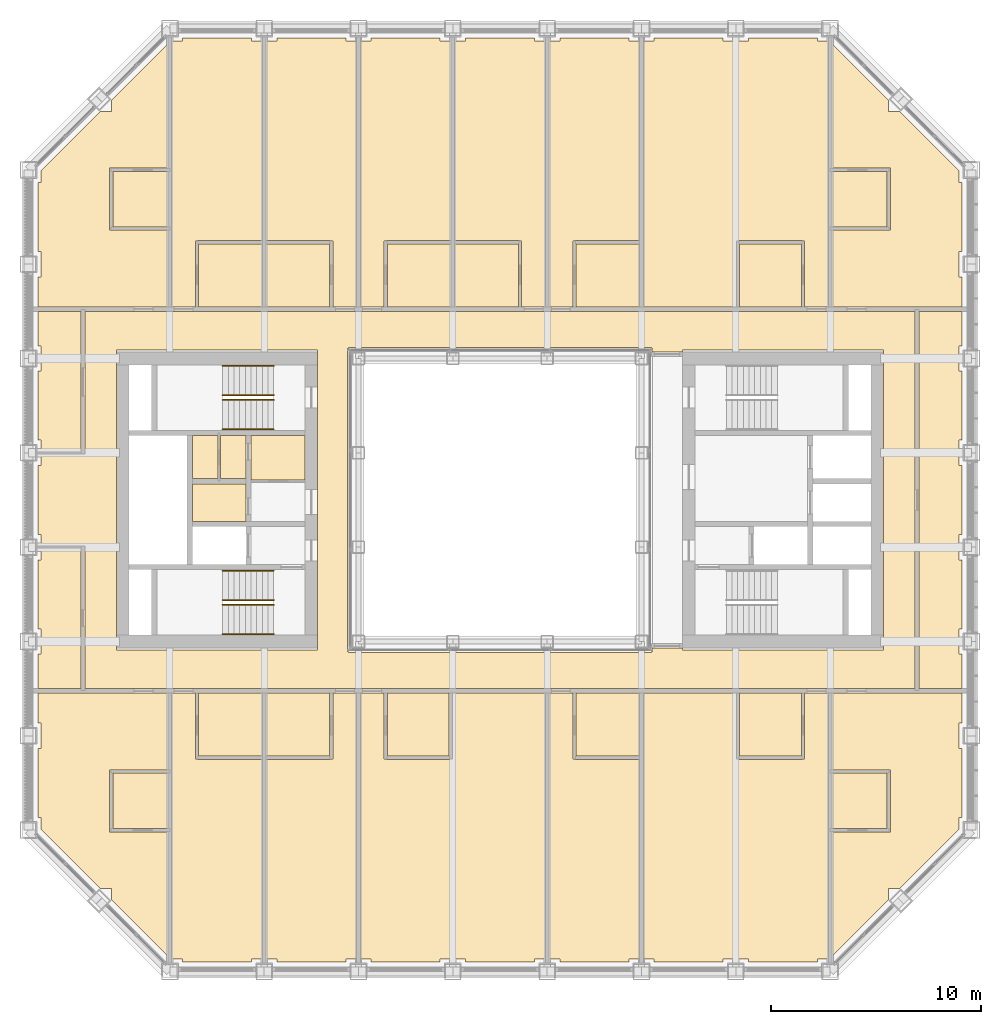
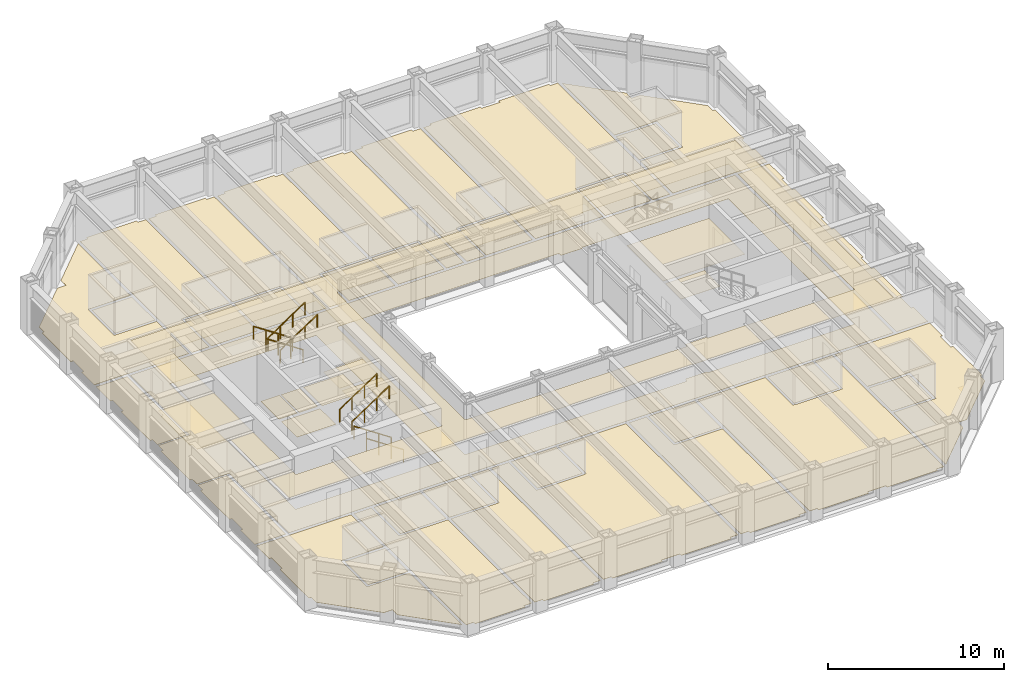
# One storey, part 15 of 17: 8 railings, 5 coverings.
"""IFC4 building model written with IfcOpenShell, lengths in metres."""

from ifc_helpers import new_model, si_unit, direction, frame, origin, origin_2d, place, context, subcontext, project, spatial, line, indexed_curve, circle, outline, extrude, material, layer, layer_set, type_object, element, save


model = new_model("IFC4")

# Units and contexts
model_context = context("Model", 3, precision=1e-05, world=origin(), true_north=direction((0.0, 1.0)))
body_context = subcontext(model_context, "Body", "Model", "MODEL_VIEW")
ifc_project = project(units=[si_unit("LENGTHUNIT", "METRE"), si_unit("AREAUNIT", "SQUARE_METRE"), si_unit("VOLUMEUNIT", "CUBIC_METRE"), si_unit("PLANEANGLEUNIT", "RADIAN"), si_unit("MASSUNIT", "GRAM", prefix="KILO")], contexts=[model_context])

# Site, building, storey
site_placement = place(None, origin())
site = spatial("IfcSite", under=ifc_project, at=site_placement, CompositionType="ELEMENT")
building_placement = place(site_placement, origin())
building = spatial("IfcBuilding", under=site, at=building_placement, Name="Msasa Ring Tower", CompositionType="ELEMENT")
storey_placement = place(building_placement, frame((0.0, 0.0, 147.199951171875)))
storey = spatial("IfcBuildingStorey", under=building, at=storey_placement, Name="L38", CompositionType="ELEMENT", Elevation=147.199951171875)

# Coverings
ifc_material_1 = material(Name="Gypsum plasterboard on a steel suspension grid", Category="steel")
ifc_layer_1 = layer(ifc_material_1, 0.014892578125)
ifc_layer_set_1 = layer_set([ifc_layer_1], Name="C1 SUSPENDED PLASTERBOARD CEILING 15")
covering_type_1 = type_object("IfcCoveringType", Name="C1 SUSPENDED PLASTERBOARD CEILING 15", PredefinedType="CEILING", material=ifc_layer_set_1)
covering_1_placement = place(storey_placement, frame((0.0, 0.0, 2.400146484375)))
element("IfcCovering", 1, at=covering_1_placement, inside=storey, type_object=covering_type_1, Name="Suspended Plasterboard Ceiling 15 circulation L38", PredefinedType="CEILING", context=body_context, shape_type="SweptSolid", body=[
    extrude(outline(indexed_curve([(19.799560546875, 8.99951171875), (19.799560546875, -8.99951171875), (-19.799560546875, -8.99951171875), (-19.799560546875, -2.199462890625), (-21.8994140625, -2.199462890625), (-21.8994140625, -1.6494140625), (-22.049560546875, -1.6494140625), (-22.049560546875, 1.6494140625), (-21.8994140625, 1.6494140625), (-21.8994140625, 2.199462890625), (-19.799560546875, 2.199462890625), (-19.799560546875, 8.99951171875)], segments=[line(1, 2, 3, 4, 5, 6, 7, 8, 9, 10, 11, 12, 1)], self_intersect=False), holes=[indexed_curve([(8.699462890625, -7.150390625), (18.300537109375, -7.150390625), (18.300537109375, 7.150390625), (8.699462890625, 7.150390625), (8.699462890625, 7.050537109375), (7.280029296875, 7.050537109375), (7.280517578125, 7.23046875), (7.22998046875, 7.23046875), (7.22998046875, 7.280029296875), (-7.22998046875, 7.280029296875), (-7.22998046875, 7.23046875), (-7.280517578125, 7.23046875), (-7.280517578125, -7.23046875), (-7.22998046875, -7.23046875), (-7.22998046875, -7.280029296875), (7.22998046875, -7.280029296875), (7.22998046875, -7.23046875), (7.280517578125, -7.23046875), (7.280029296875, -7.050537109375), (8.699462890625, -7.050537109375)], segments=[line(1, 2, 3, 4, 5, 6, 7, 8, 9, 10, 11, 12, 13, 14, 15, 16, 17, 18, 19, 20, 1)], self_intersect=False), indexed_curve([(-8.699462890625, 7.150390625), (-18.300537109375, 7.150390625), (-18.300537109375, -7.150390625), (-8.699462890625, -7.150390625)], segments=[line(1, 2, 3, 4, 1)], self_intersect=False)]), origin(), (0.0, 0.0, 1.0), 0.014892578125),
    extrude(outline(indexed_curve([(-9.300537109375, -3.074462890625), (-11.87451171875, -3.074462890625), (-11.87451171875, -1.275390625), (-9.300537109375, -1.275390625)], segments=[line(1, 2, 3, 4, 1)], self_intersect=False)), origin(), (0.0, 0.0, 1.0), 0.014892578125),
    extrude(outline(indexed_curve([(-9.300537109375, -1.0244140625), (-11.87451171875, -1.0244140625), (-11.87451171875, 0.844482421875), (-9.300537109375, 0.844482421875)], segments=[line(1, 2, 3, 4, 1)], self_intersect=False)), origin(), (0.0, 0.0, 1.0), 0.014892578125),
    extrude(outline(indexed_curve([(11.87451171875, -3.074462890625), (9.300537109375, -3.074462890625), (9.300537109375, -1.275390625), (11.87451171875, -1.275390625)], segments=[line(1, 2, 3, 4, 1)], self_intersect=False)), origin(), (0.0, 0.0, 1.0), 0.014892578125),
    extrude(outline(indexed_curve([(9.300537109375, -1.0244140625), (9.300537109375, 3.074462890625), (14.674560546875, 3.074462890625), (14.674560546875, -1.0244140625)], segments=[line(1, 2, 3, 4, 1)], self_intersect=False)), origin(), (0.0, 0.0, 1.0), 0.014892578125),
])
ifc_material_2 = material(Name="Wool-blend carpet on felt underlay", Category="textile")
ifc_layer_2 = layer(ifc_material_2, 0.011962890625)
ifc_layer_set_2 = layer_set([ifc_layer_2], Name="F2 CARPET ON UNDERLAY 12")
covering_type_2 = type_object("IfcCoveringType", Name="F2 CARPET ON UNDERLAY 12", PredefinedType="FLOORING", material=ifc_layer_set_2)
covering_2_placement = place(storey_placement, origin())
element("IfcCovering", 2, at=covering_2_placement, inside=storey, type_object=covering_type_2, Name="Carpet On Underlay 12 L38", PredefinedType="FLOORING", context=body_context, shape_type="SweptSolid", body=[
    extrude(outline(indexed_curve([(-19.799560546875, -8.99951171875), (-19.799560546875, -2.199462890625), (-21.8994140625, -2.199462890625), (-21.8994140625, -1.6494140625), (-22.049560546875, -1.6494140625), (-22.049560546875, 1.6494140625), (-21.8994140625, 1.6494140625), (-21.8994140625, 2.199462890625), (-19.799560546875, 2.199462890625), (-19.799560546875, 8.99951171875), (19.799560546875, 8.99951171875), (19.799560546875, -8.99951171875)], segments=[line(1, 2, 3, 4, 5, 6, 7, 8, 9, 10, 11, 12, 1)], self_intersect=False), holes=[indexed_curve([(8.699462890625, -7.150390625), (18.300537109375, -7.150390625), (18.300537109375, 7.150390625), (8.699462890625, 7.150390625), (8.699462890625, 7.050537109375), (7.280029296875, 7.050537109375), (7.280517578125, 7.23046875), (7.22998046875, 7.23046875), (7.22998046875, 7.280029296875), (-7.22998046875, 7.280029296875), (-7.22998046875, 7.23046875), (-7.280517578125, 7.23046875), (-7.280517578125, -7.23046875), (-7.22998046875, -7.23046875), (-7.22998046875, -7.280029296875), (7.22998046875, -7.280029296875), (7.22998046875, -7.23046875), (7.280517578125, -7.23046875), (7.280029296875, -7.050537109375), (8.699462890625, -7.050537109375)], segments=[line(1, 2, 3, 4, 5, 6, 7, 8, 9, 10, 11, 12, 13, 14, 15, 16, 17, 18, 19, 20, 1)], self_intersect=False), indexed_curve([(-18.300537109375, 7.150390625), (-18.300537109375, -7.150390625), (-8.699462890625, -7.150390625), (-8.699462890625, 7.150390625)], segments=[line(1, 2, 3, 4, 1)], self_intersect=False)]), origin(), (0.0, 0.0, 1.0), 0.011962890625),
    extrude(outline(indexed_curve([(-15.1494140625, -22.049560546875), (-15.1494140625, -21.8994140625), (-15.6494140625, -21.8994140625), (-15.6494140625, -9.200439453125), (-14.525390625, -9.200439453125), (-14.525390625, -12.35009765625), (-14.39990234375, -12.3505859375), (-14.39990234375, -12.37548828125), (-11.3505859375, -12.37548828125), (-11.3505859375, -21.8994140625), (-11.8505859375, -21.8994140625), (-11.8505859375, -22.049560546875)], segments=[line(1, 2, 3, 4, 5, 6, 7, 8, 9, 10, 11, 12, 1)], self_intersect=False)), origin(), (0.0, 0.0, 1.0), 0.011962890625),
    extrude(outline(indexed_curve([(-14.39990234375, 12.3505859375), (-14.525390625, 12.35009765625), (-14.525390625, 9.200439453125), (-15.6494140625, 9.200439453125), (-15.6494140625, 21.8994140625), (-15.1494140625, 21.8994140625), (-15.1494140625, 22.049560546875), (-11.8505859375, 22.049560546875), (-11.8505859375, 21.8994140625), (-11.3505859375, 21.8994140625), (-11.3505859375, 12.37548828125), (-14.39990234375, 12.37548828125)], segments=[line(1, 2, 3, 4, 5, 6, 7, 8, 9, 10, 11, 12, 1)], self_intersect=False)), origin(), (0.0, 0.0, 1.0), 0.011962890625),
    extrude(outline(indexed_curve([(-13.45556640625, 3.074462890625), (-13.45556640625, 1.025390625), (-14.674560546875, 1.025390625), (-14.674560546875, 3.074462890625)], segments=[line(1, 2, 3, 4, 1)], self_intersect=False)), origin(), (0.0, 0.0, 1.0), 0.011962890625),
    extrude(outline(indexed_curve([(-6.8505859375, -9.200439453125), (-6.8505859375, -21.8994140625), (-7.3505859375, -21.8994140625), (-7.3505859375, -22.049560546875), (-10.6494140625, -22.049560546875), (-10.6494140625, -21.8994140625), (-11.1494140625, -21.8994140625), (-11.1494140625, -12.37548828125), (-8.10009765625, -12.37548828125), (-8.10009765625, -12.3505859375), (-7.974609375, -12.35009765625), (-7.974609375, -9.200439453125)], segments=[line(1, 2, 3, 4, 5, 6, 7, 8, 9, 10, 11, 12, 1)], self_intersect=False)), origin(), (0.0, 0.0, 1.0), 0.011962890625),
    extrude(outline(indexed_curve([(-7.3505859375, 22.049560546875), (-7.3505859375, 21.8994140625), (-6.8505859375, 21.8994140625), (-6.8505859375, 9.200439453125), (-7.974609375, 9.200439453125), (-7.974609375, 12.35009765625), (-8.10009765625, 12.3505859375), (-8.10009765625, 12.37548828125), (-11.1494140625, 12.37548828125), (-11.1494140625, 21.8994140625), (-10.6494140625, 21.8994140625), (-10.6494140625, 22.049560546875)], segments=[line(1, 2, 3, 4, 5, 6, 7, 8, 9, 10, 11, 12, 1)], self_intersect=False)), origin(), (0.0, 0.0, 1.0), 0.011962890625),
    extrude(outline(indexed_curve([(-6.6494140625, 9.200439453125), (-6.6494140625, 21.8994140625), (-6.1494140625, 21.8994140625), (-6.1494140625, 22.049560546875), (-2.8505859375, 22.049560546875), (-2.8505859375, 21.8994140625), (-2.3505859375, 21.8994140625), (-2.3505859375, 12.37548828125), (-5.39990234375, 12.37548828125), (-5.39990234375, 12.3505859375), (-5.525390625, 12.35009765625), (-5.525390625, 9.200439453125)], segments=[line(1, 2, 3, 4, 5, 6, 7, 8, 9, 10, 11, 12, 1)], self_intersect=False)), origin(), (0.0, 0.0, 1.0), 0.011962890625),
    extrude(outline(indexed_curve([(2.1494140625, 9.200439453125), (1.025390625, 9.200439453125), (1.025390625, 12.35009765625), (0.89990234375, 12.3505859375), (0.89990234375, 12.37548828125), (-2.1494140625, 12.37548828125), (-2.1494140625, 21.8994140625), (-1.6494140625, 21.8994140625), (-1.6494140625, 22.049560546875), (1.6494140625, 22.049560546875), (1.6494140625, 21.8994140625), (2.1494140625, 21.8994140625)], segments=[line(1, 2, 3, 4, 5, 6, 7, 8, 9, 10, 11, 12, 1)], self_intersect=False)), origin(), (0.0, 0.0, 1.0), 0.011962890625),
    extrude(outline(indexed_curve([(2.8505859375, -22.049560546875), (2.8505859375, -21.8994140625), (2.3505859375, -21.8994140625), (2.3505859375, -9.200439453125), (3.474609375, -9.200439453125), (3.474609375, -12.35009765625), (3.60009765625, -12.3505859375), (3.60009765625, -12.37548828125), (6.6494140625, -12.37548828125), (6.6494140625, -21.8994140625), (6.1494140625, -21.8994140625), (6.1494140625, -22.049560546875)], segments=[line(1, 2, 3, 4, 5, 6, 7, 8, 9, 10, 11, 12, 1)], self_intersect=False)), origin(), (0.0, 0.0, 1.0), 0.011962890625),
    extrude(outline(indexed_curve([(2.3505859375, 21.8994140625), (2.8505859375, 21.8994140625), (2.8505859375, 22.049560546875), (6.1494140625, 22.049560546875), (6.1494140625, 21.8994140625), (6.6494140625, 21.8994140625), (6.6494140625, 12.37548828125), (3.60009765625, 12.37548828125), (3.60009765625, 12.3505859375), (3.474609375, 12.35009765625), (3.474609375, 9.200439453125), (2.3505859375, 9.200439453125)], segments=[line(1, 2, 3, 4, 5, 6, 7, 8, 9, 10, 11, 12, 1)], self_intersect=False)), origin(), (0.0, 0.0, 1.0), 0.011962890625),
])
ifc_material_3 = material(Name="Engineered oak boards on an acoustic underlay", Category="wood")
ifc_layer_3 = layer(ifc_material_3, 0.01806640625)
ifc_layer_set_3 = layer_set([ifc_layer_3], Name="F3 ENGINEERED TIMBER ON ACOUSTIC UNDERLAY 18")
covering_type_3 = type_object("IfcCoveringType", Name="F3 ENGINEERED TIMBER ON ACOUSTIC UNDERLAY 18", PredefinedType="FLOORING", material=ifc_layer_set_3)
covering_3_placement = place(storey_placement, origin())
element("IfcCovering", 3, at=covering_3_placement, inside=storey, type_object=covering_type_3, Name="Engineered Timber On Acoustic Underlay 18 L38", PredefinedType="FLOORING", context=body_context, shape_type="SweptSolid", body=[
    extrude(outline(indexed_curve([(-15.8505859375, -21.762451171875), (-18.5244140625, -19.08837890625), (-18.5244140625, -18.5244140625), (-19.08837890625, -18.5244140625), (-21.8994140625, -15.71337890625), (-21.8994140625, -15.1494140625), (-22.049560546875, -15.1494140625), (-22.049560546875, -11.8505859375), (-21.8994140625, -11.8505859375), (-21.8994140625, -10.6494140625), (-22.049560546875, -10.6494140625), (-22.049560546875, -9.200439453125), (-15.8505859375, -9.200439453125), (-15.8505859375, -12.869384765625), (-18.630615234375, -12.869384765625), (-18.630615234375, -15.83056640625), (-15.8505859375, -15.83056640625)], segments=[line(1, 2, 3, 4, 5, 6, 7, 8, 9, 10, 11, 12, 13, 14, 15, 16, 17, 1)], self_intersect=False)), origin(), (0.0, 0.0, 1.0), 0.01806640625),
    extrude(outline(indexed_curve([(-18.630615234375, 12.869384765625), (-15.8505859375, 12.869384765625), (-15.8505859375, 9.200439453125), (-22.049560546875, 9.200439453125), (-22.049560546875, 10.6494140625), (-21.8994140625, 10.6494140625), (-21.8994140625, 11.8505859375), (-22.049560546875, 11.8505859375), (-22.049560546875, 15.1494140625), (-21.8994140625, 15.1494140625), (-21.8994140625, 15.71337890625), (-19.08837890625, 18.5244140625), (-18.5244140625, 18.5244140625), (-18.5244140625, 19.08837890625), (-15.8505859375, 21.762451171875), (-15.8505859375, 15.83056640625), (-18.630615234375, 15.83056640625)], segments=[line(1, 2, 3, 4, 5, 6, 7, 8, 9, 10, 11, 12, 13, 14, 15, 16, 17, 1)], self_intersect=False)), origin(), (0.0, 0.0, 1.0), 0.01806640625),
    extrude(outline(indexed_curve([(-5.525390625, -12.35009765625), (-5.39990234375, -12.3505859375), (-5.39990234375, -12.37548828125), (-2.39990234375, -12.37548828125), (-2.39990234375, -12.3505859375), (-2.2744140625, -12.35009765625), (-2.2744140625, -9.200439453125), (2.1494140625, -9.200439453125), (2.1494140625, -21.8994140625), (1.6494140625, -21.8994140625), (1.6494140625, -22.049560546875), (-1.6494140625, -22.049560546875), (-1.6494140625, -21.8994140625), (-2.8505859375, -21.8994140625), (-2.8505859375, -22.049560546875), (-6.1494140625, -22.049560546875), (-6.1494140625, -21.8994140625), (-6.6494140625, -21.8994140625), (-6.6494140625, -9.200439453125), (-5.525390625, -9.200439453125)], segments=[line(1, 2, 3, 4, 5, 6, 7, 8, 9, 10, 11, 12, 13, 14, 15, 16, 17, 18, 19, 20, 1)], self_intersect=False)), origin(), (0.0, 0.0, 1.0), 0.01806640625),
    extrude(outline(indexed_curve([(11.2744140625, -12.35009765625), (11.39990234375, -12.3505859375), (11.39990234375, -12.37548828125), (14.39990234375, -12.37548828125), (14.39990234375, -12.3505859375), (14.525390625, -12.35009765625), (14.525390625, -9.200439453125), (15.6494140625, -9.200439453125), (15.6494140625, -21.8994140625), (15.1494140625, -21.8994140625), (15.1494140625, -22.049560546875), (11.8505859375, -22.049560546875), (11.8505859375, -21.8994140625), (10.6494140625, -21.8994140625), (10.6494140625, -22.049560546875), (7.3505859375, -22.049560546875), (7.3505859375, -21.8994140625), (6.8505859375, -21.8994140625), (6.8505859375, -9.200439453125), (11.2744140625, -9.200439453125)], segments=[line(1, 2, 3, 4, 5, 6, 7, 8, 9, 10, 11, 12, 13, 14, 15, 16, 17, 18, 19, 20, 1)], self_intersect=False)), origin(), (0.0, 0.0, 1.0), 0.01806640625),
    extrude(outline(indexed_curve([(14.525390625, 12.35009765625), (14.39990234375, 12.3505859375), (14.39990234375, 12.37548828125), (11.39990234375, 12.37548828125), (11.39990234375, 12.3505859375), (11.2744140625, 12.35009765625), (11.2744140625, 9.200439453125), (6.8505859375, 9.200439453125), (6.8505859375, 21.8994140625), (7.3505859375, 21.8994140625), (7.3505859375, 22.049560546875), (10.6494140625, 22.049560546875), (10.6494140625, 21.8994140625), (11.8505859375, 21.8994140625), (11.8505859375, 22.049560546875), (15.1494140625, 22.049560546875), (15.1494140625, 21.8994140625), (15.6494140625, 21.8994140625), (15.6494140625, 9.200439453125), (14.525390625, 9.200439453125)], segments=[line(1, 2, 3, 4, 5, 6, 7, 8, 9, 10, 11, 12, 13, 14, 15, 16, 17, 18, 19, 20, 1)], self_intersect=False)), origin(), (0.0, 0.0, 1.0), 0.01806640625),
    extrude(outline(indexed_curve([(18.630615234375, -12.869384765625), (15.8505859375, -12.869384765625), (15.8505859375, -9.200439453125), (22.049560546875, -9.200439453125), (22.049560546875, -10.6494140625), (21.8994140625, -10.6494140625), (21.8994140625, -11.8505859375), (22.049560546875, -11.8505859375), (22.049560546875, -15.1494140625), (21.8994140625, -15.1494140625), (21.8994140625, -15.71337890625), (19.08837890625, -18.5244140625), (18.5244140625, -18.5244140625), (18.5244140625, -19.08837890625), (15.8505859375, -21.762451171875), (15.8505859375, -15.83056640625), (18.630615234375, -15.83056640625)], segments=[line(1, 2, 3, 4, 5, 6, 7, 8, 9, 10, 11, 12, 13, 14, 15, 16, 17, 1)], self_intersect=False)), origin(), (0.0, 0.0, 1.0), 0.01806640625),
    extrude(outline(indexed_curve([(15.8505859375, 21.762451171875), (18.5244140625, 19.08837890625), (18.5244140625, 18.5244140625), (19.08837890625, 18.5244140625), (21.8994140625, 15.71337890625), (21.8994140625, 15.1494140625), (22.049560546875, 15.1494140625), (22.049560546875, 11.8505859375), (21.8994140625, 11.8505859375), (21.8994140625, 10.6494140625), (22.049560546875, 10.6494140625), (22.049560546875, 9.200439453125), (15.8505859375, 9.200439453125), (15.8505859375, 12.869384765625), (18.630615234375, 12.869384765625), (18.630615234375, 15.83056640625), (15.8505859375, 15.83056640625)], segments=[line(1, 2, 3, 4, 5, 6, 7, 8, 9, 10, 11, 12, 13, 14, 15, 16, 17, 1)], self_intersect=False)), origin(), (0.0, 0.0, 1.0), 0.01806640625),
])
ifc_material_4 = material(Name="Porcelain floor tiles in adhesive", Category="ceramic")
ifc_layer_4 = layer(ifc_material_4, 0.010009765625)
ifc_layer_set_4 = layer_set([ifc_layer_4], Name="F4 PORCELAIN TILE ON ADHESIVE 10")
covering_type_4 = type_object("IfcCoveringType", Name="F4 PORCELAIN TILE ON ADHESIVE 10", PredefinedType="FLOORING", material=ifc_layer_set_4)
covering_4_placement = place(storey_placement, origin())
element("IfcCovering", 4, at=covering_4_placement, inside=storey, type_object=covering_type_4, Name="Porcelain Tile On Adhesive 10 L38", PredefinedType="FLOORING", context=body_context, shape_type="SweptSolid", body=[
    extrude(outline(indexed_curve([(-15.8505859375, -13.030517578125), (-15.8505859375, -15.66943359375), (-18.469482421875, -15.66943359375), (-18.469482421875, -13.030517578125)], segments=[line(1, 2, 3, 4, 1)], self_intersect=False)), origin(), (0.0, 0.0, 1.0), 0.010009765625),
    extrude(outline(indexed_curve([(-15.8505859375, 15.66943359375), (-15.8505859375, 13.030517578125), (-18.469482421875, 13.030517578125), (-18.469482421875, 15.66943359375)], segments=[line(1, 2, 3, 4, 1)], self_intersect=False)), origin(), (0.0, 0.0, 1.0), 0.010009765625),
    extrude(outline(indexed_curve([(-12.12548828125, -1.0244140625), (-14.674560546875, -1.0244140625), (-14.674560546875, 0.7744140625), (-12.12548828125, 0.7744140625)], segments=[line(1, 2, 3, 4, 1)], self_intersect=False)), origin(), (0.0, 0.0, 1.0), 0.010009765625),
    extrude(outline(indexed_curve([(-11.3505859375, -9.200439453125), (-11.3505859375, -12.224609375), (-14.37451171875, -12.224609375), (-14.37451171875, -9.200439453125)], segments=[line(1, 2, 3, 4, 1)], self_intersect=False)), origin(), (0.0, 0.0, 1.0), 0.010009765625),
    extrude(outline(indexed_curve([(-11.3505859375, 9.200439453125), (-14.37451171875, 9.200439453125), (-14.37451171875, 12.224609375), (-11.3505859375, 12.224609375)], segments=[line(1, 2, 3, 4, 1)], self_intersect=False)), origin(), (0.0, 0.0, 1.0), 0.010009765625),
    extrude(outline(indexed_curve([(-8.12548828125, -9.200439453125), (-8.12548828125, -12.224609375), (-11.1494140625, -12.224609375), (-11.1494140625, -9.200439453125)], segments=[line(1, 2, 3, 4, 1)], self_intersect=False)), origin(), (0.0, 0.0, 1.0), 0.010009765625),
    extrude(outline(indexed_curve([(-11.1494140625, 9.200439453125), (-11.1494140625, 12.224609375), (-8.12548828125, 12.224609375), (-8.12548828125, 9.200439453125)], segments=[line(1, 2, 3, 4, 1)], self_intersect=False)), origin(), (0.0, 0.0, 1.0), 0.010009765625),
    extrude(outline(indexed_curve([(-2.425537109375, -9.200439453125), (-2.425537109375, -12.224609375), (-5.37451171875, -12.224609375), (-5.37451171875, -9.200439453125)], segments=[line(1, 2, 3, 4, 1)], self_intersect=False)), origin(), (0.0, 0.0, 1.0), 0.010009765625),
    extrude(outline(indexed_curve([(-2.3505859375, 9.200439453125), (-5.37451171875, 9.200439453125), (-5.37451171875, 12.224609375), (-2.3505859375, 12.224609375)], segments=[line(1, 2, 3, 4, 1)], self_intersect=False)), origin(), (0.0, 0.0, 1.0), 0.010009765625),
    extrude(outline(indexed_curve([(-2.1494140625, 9.200439453125), (-2.1494140625, 12.224609375), (0.87451171875, 12.224609375), (0.87451171875, 9.200439453125)], segments=[line(1, 2, 3, 4, 1)], self_intersect=False)), origin(), (0.0, 0.0, 1.0), 0.010009765625),
    extrude(outline(indexed_curve([(6.6494140625, -9.200439453125), (6.6494140625, -12.224609375), (3.62548828125, -12.224609375), (3.62548828125, -9.200439453125)], segments=[line(1, 2, 3, 4, 1)], self_intersect=False)), origin(), (0.0, 0.0, 1.0), 0.010009765625),
    extrude(outline(indexed_curve([(6.6494140625, 9.200439453125), (3.62548828125, 9.200439453125), (3.62548828125, 12.224609375), (6.6494140625, 12.224609375)], segments=[line(1, 2, 3, 4, 1)], self_intersect=False)), origin(), (0.0, 0.0, 1.0), 0.010009765625),
    extrude(outline(indexed_curve([(14.37451171875, -9.200439453125), (14.37451171875, -12.224609375), (11.425537109375, -12.224609375), (11.425537109375, -9.200439453125)], segments=[line(1, 2, 3, 4, 1)], self_intersect=False)), origin(), (0.0, 0.0, 1.0), 0.010009765625),
    extrude(outline(indexed_curve([(11.425537109375, 9.200439453125), (11.425537109375, 12.224609375), (14.37451171875, 12.224609375), (14.37451171875, 9.200439453125)], segments=[line(1, 2, 3, 4, 1)], self_intersect=False)), origin(), (0.0, 0.0, 1.0), 0.010009765625),
    extrude(outline(indexed_curve([(18.469482421875, -13.030517578125), (18.469482421875, -15.66943359375), (15.8505859375, -15.66943359375), (15.8505859375, -13.030517578125)], segments=[line(1, 2, 3, 4, 1)], self_intersect=False)), origin(), (0.0, 0.0, 1.0), 0.010009765625),
    extrude(outline(indexed_curve([(18.469482421875, 15.66943359375), (18.469482421875, 13.030517578125), (15.8505859375, 13.030517578125), (15.8505859375, 15.66943359375)], segments=[line(1, 2, 3, 4, 1)], self_intersect=False)), origin(), (0.0, 0.0, 1.0), 0.010009765625),
])
ifc_material_5 = material(Name="Welded vinyl safety sheet flooring", Category="vinyl")
ifc_layer_5 = layer(ifc_material_5, 0.0029296875)
ifc_layer_set_5 = layer_set([ifc_layer_5], Name="F5 RESILIENT SHEET FLOORING 3")
covering_type_5 = type_object("IfcCoveringType", Name="F5 RESILIENT SHEET FLOORING 3", PredefinedType="FLOORING", material=ifc_layer_set_5)
covering_5_placement = place(storey_placement, origin())
element("IfcCovering", 5, at=covering_5_placement, inside=storey, type_object=covering_type_5, Name="Resilient Sheet Flooring 3 L38", PredefinedType="FLOORING", context=body_context, shape_type="SweptSolid", body=[
    extrude(outline(indexed_curve([(-20.00048828125, -2.305419921875), (-20.00048828125, -8.99951171875), (-22.049560546875, -8.99951171875), (-22.049560546875, -7.3505859375), (-21.8994140625, -7.3505859375), (-21.8994140625, -6.1494140625), (-22.049560546875, -6.1494140625), (-22.049560546875, -2.8505859375), (-21.8994140625, -2.8505859375), (-21.8994140625, -2.305419921875)], segments=[line(1, 2, 3, 4, 5, 6, 7, 8, 9, 10, 1)], self_intersect=False)), origin(), (0.0, 0.0, 1.0), 0.0029296875),
    extrude(outline(indexed_curve([(-20.00048828125, 2.305419921875), (-21.8994140625, 2.305419921875), (-21.8994140625, 2.8505859375), (-22.049560546875, 2.8505859375), (-22.049560546875, 6.1494140625), (-21.8994140625, 6.1494140625), (-21.8994140625, 7.3505859375), (-22.049560546875, 7.3505859375), (-22.049560546875, 8.99951171875), (-20.00048828125, 8.99951171875)], segments=[line(1, 2, 3, 4, 5, 6, 7, 8, 9, 10, 1)], self_intersect=False)), origin(), (0.0, 0.0, 1.0), 0.0029296875),
    extrude(outline(indexed_curve([(-13.344482421875, 3.074462890625), (-12.12548828125, 3.074462890625), (-12.12548828125, 1.025390625), (-13.344482421875, 1.025390625)], segments=[line(1, 2, 3, 4, 1)], self_intersect=False)), origin(), (0.0, 0.0, 1.0), 0.0029296875),
    extrude(outline(indexed_curve([(-11.87451171875, 0.95556640625), (-11.87451171875, 3.074462890625), (-9.300537109375, 3.074462890625), (-9.300537109375, 0.95556640625)], segments=[line(1, 2, 3, 4, 1)], self_intersect=False)), origin(), (0.0, 0.0, 1.0), 0.0029296875),
    extrude(outline(indexed_curve([(22.049560546875, 7.3505859375), (21.8994140625, 7.3505859375), (21.8994140625, 6.1494140625), (22.049560546875, 6.1494140625), (22.049560546875, 2.8505859375), (21.8994140625, 2.8505859375), (21.8994140625, 1.6494140625), (22.049560546875, 1.6494140625), (22.049560546875, -1.6494140625), (21.8994140625, -1.6494140625), (21.8994140625, -2.8505859375), (22.049560546875, -2.8505859375), (22.049560546875, -6.1494140625), (21.8994140625, -6.1494140625), (21.8994140625, -7.3505859375), (22.049560546875, -7.3505859375), (22.049560546875, -8.99951171875), (20.00048828125, -8.99951171875), (20.00048828125, 8.99951171875), (22.049560546875, 8.99951171875)], segments=[line(1, 2, 3, 4, 5, 6, 7, 8, 9, 10, 11, 12, 13, 14, 15, 16, 17, 18, 19, 20, 1)], self_intersect=False)), origin(), (0.0, 0.0, 1.0), 0.0029296875),
])

# Railings
ifc_material_6 = material(Name="Stainless steel", Category="steel")
railing_type = type_object("IfcRailingType", Name="HR1 HANDRAIL 900", PredefinedType="HANDRAIL", material=ifc_material_6)
for number, where, name in (
    (6, (-10.800048828125, -6.39990234375, 0.179931640625), "Handrail stair SWA L38 1"),
    (7, (-10.800048828125, -5.0, 0.179931640625), "Handrail stair SWA L38 2"),
):
    element("IfcRailing", number, at=place(storey_placement, frame(where)), inside=storey, type_object=railing_type, Name=name, PredefinedType="HANDRAIL", context=body_context, shape_type="SweptSolid", body=[
        extrude(circle(Radius=0.02392578125, at=origin_2d()), frame((0.0, 0.0, 0.8759765625), z_axis=(-0.832024571796, 0.0, 0.554738778101), x_axis=(0.0, -1.0, 0.0)), (0.0, 0.0, 1.0), 2.92041015625),
        extrude(circle(Radius=0.02099609375, at=origin_2d()), origin(), (0.0, 0.0, 1.0), 0.851806640625),
        extrude(circle(Radius=0.02099609375, at=origin_2d()), frame((-0.81005859375, 0.0, 0.5400390625)), (0.0, 0.0, 1.0), 0.851806640625),
        extrude(circle(Radius=0.02099609375, at=origin_2d()), frame((-1.619873046875, 0.0, 1.080078125)), (0.0, 0.0, 1.0), 0.851806640625),
        extrude(circle(Radius=0.02099609375, at=origin_2d()), frame((-2.429931640625, 0.0, 1.6201171875)), (0.0, 0.0, 1.0), 0.851806640625),
    ])
for number, where, name in (
    (8, (-13.22998046875, -4.77490234375, 1.97998046875), "Handrail stair SWA L38 3"),
    (9, (-13.22998046875, -3.375, 1.97998046875), "Handrail stair SWA L38 4"),
):
    element("IfcRailing", number, at=place(storey_placement, frame(where)), inside=storey, type_object=railing_type, Name=name, PredefinedType="HANDRAIL", context=body_context, shape_type="SweptSolid", body=[
        extrude(circle(Radius=0.02392578125, at=origin_2d()), frame((0.0, 0.0, 0.8759765625), z_axis=(0.832024571796, 0.0, 0.554738778101), x_axis=(0.0, 1.0, 0.0)), (0.0, 0.0, 1.0), 2.92041015625),
        extrude(circle(Radius=0.02099609375, at=origin_2d()), origin(), (0.0, 0.0, 1.0), 0.851806640625),
        extrude(circle(Radius=0.02099609375, at=origin_2d()), frame((0.81005859375, 0.0, 0.5400390625)), (0.0, 0.0, 1.0), 0.851806640625),
        extrude(circle(Radius=0.02099609375, at=origin_2d()), frame((1.619873046875, 0.0, 1.080078125)), (0.0, 0.0, 1.0), 0.851806640625),
        extrude(circle(Radius=0.02099609375, at=origin_2d()), frame((2.429931640625, 0.0, 1.6201171875)), (0.0, 0.0, 1.0), 0.851806640625),
    ])
for number, where, name in (
    (10, (-10.800048828125, 5.0, 0.179931640625), "Handrail stair SWB L38 1"),
    (11, (-10.800048828125, 6.39990234375, 0.179931640625), "Handrail stair SWB L38 2"),
):
    element("IfcRailing", number, at=place(storey_placement, frame(where)), inside=storey, type_object=railing_type, Name=name, PredefinedType="HANDRAIL", context=body_context, shape_type="SweptSolid", body=[
        extrude(circle(Radius=0.02392578125, at=origin_2d()), frame((0.0, 0.0, 0.8759765625), z_axis=(-0.832024571796, 0.0, 0.554738778101), x_axis=(0.0, -1.0, 0.0)), (0.0, 0.0, 1.0), 2.92041015625),
        extrude(circle(Radius=0.02099609375, at=origin_2d()), origin(), (0.0, 0.0, 1.0), 0.851806640625),
        extrude(circle(Radius=0.02099609375, at=origin_2d()), frame((-0.81005859375, 0.0, 0.5400390625)), (0.0, 0.0, 1.0), 0.851806640625),
        extrude(circle(Radius=0.02099609375, at=origin_2d()), frame((-1.619873046875, 0.0, 1.080078125)), (0.0, 0.0, 1.0), 0.851806640625),
        extrude(circle(Radius=0.02099609375, at=origin_2d()), frame((-2.429931640625, 0.0, 1.6201171875)), (0.0, 0.0, 1.0), 0.851806640625),
    ])
for number, where, name in (
    (12, (-13.22998046875, 3.375, 1.97998046875), "Handrail stair SWB L38 3"),
    (13, (-13.22998046875, 4.77490234375, 1.97998046875), "Handrail stair SWB L38 4"),
):
    element("IfcRailing", number, at=place(storey_placement, frame(where)), inside=storey, type_object=railing_type, Name=name, PredefinedType="HANDRAIL", context=body_context, shape_type="SweptSolid", body=[
        extrude(circle(Radius=0.02392578125, at=origin_2d()), frame((0.0, 0.0, 0.8759765625), z_axis=(0.832024571796, 0.0, 0.554738778101), x_axis=(0.0, 1.0, 0.0)), (0.0, 0.0, 1.0), 2.92041015625),
        extrude(circle(Radius=0.02099609375, at=origin_2d()), origin(), (0.0, 0.0, 1.0), 0.851806640625),
        extrude(circle(Radius=0.02099609375, at=origin_2d()), frame((0.81005859375, 0.0, 0.5400390625)), (0.0, 0.0, 1.0), 0.851806640625),
        extrude(circle(Radius=0.02099609375, at=origin_2d()), frame((1.619873046875, 0.0, 1.080078125)), (0.0, 0.0, 1.0), 0.851806640625),
        extrude(circle(Radius=0.02099609375, at=origin_2d()), frame((2.429931640625, 0.0, 1.6201171875)), (0.0, 0.0, 1.0), 0.851806640625),
    ])

save(model, "model.ifc")
